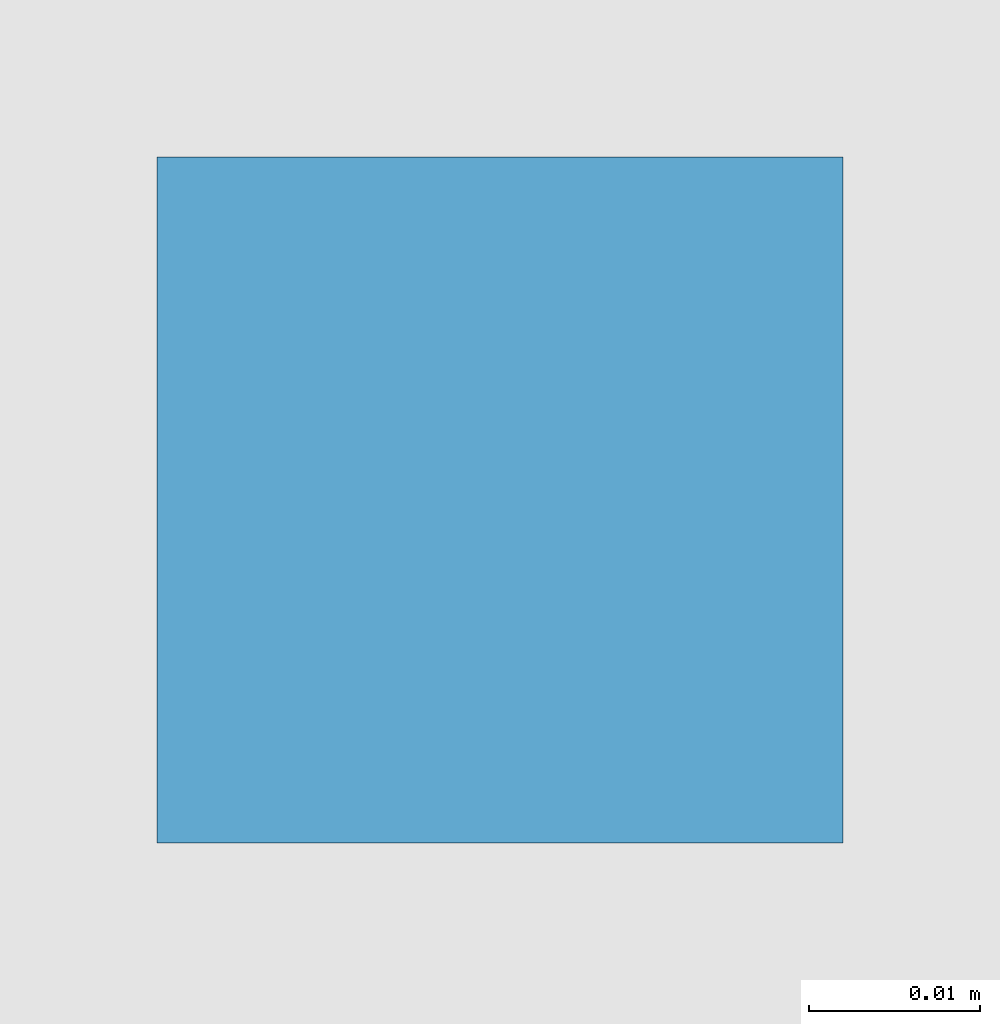
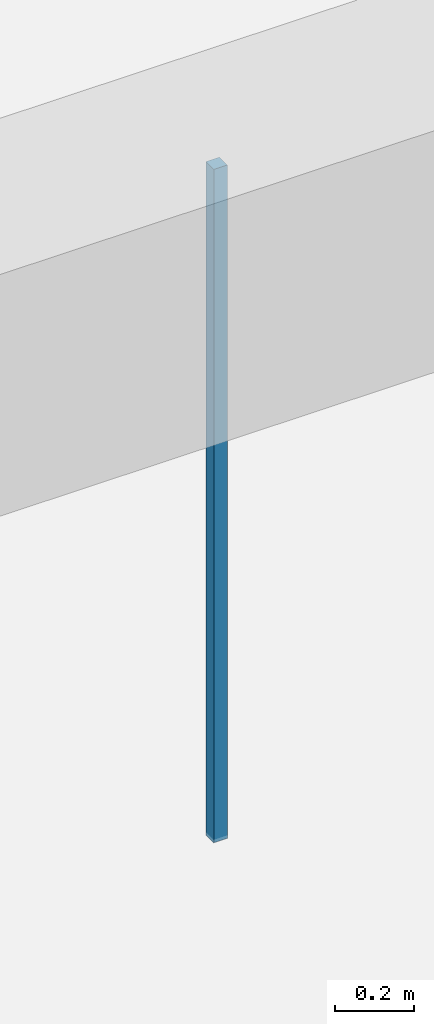
# One storey, part 110 of 167: 1 discrete accessory.
"""IFC4 building model written with IfcOpenShell, lengths in metres."""

from ifc_helpers import new_model, si_unit, direction, frame, origin, origin_2d, place, context, subcontext, project, spatial, rectangle, extrude, material, type_object, element, save


model = new_model("IFC4")

# Units and contexts
model_context = context("Model", 3, precision=1e-05, world=origin(), true_north=direction((0.0, 1.0)))
body_context = subcontext(model_context, "Body", "Model", "MODEL_VIEW")
ifc_project = project(units=[si_unit("LENGTHUNIT", "METRE"), si_unit("AREAUNIT", "SQUARE_METRE"), si_unit("VOLUMEUNIT", "CUBIC_METRE"), si_unit("PLANEANGLEUNIT", "RADIAN"), si_unit("MASSUNIT", "GRAM", prefix="KILO")], contexts=[model_context])

# Site, building, storey
site_placement = place(None, origin())
site = spatial("IfcSite", under=ifc_project, at=site_placement, CompositionType="ELEMENT")
building_placement = place(site_placement, origin())
building = spatial("IfcBuilding", under=site, at=building_placement, Name="Varncliffe General Hospital", CompositionType="ELEMENT")
storey_placement = place(building_placement, origin())
storey = spatial("IfcBuildingStorey", under=building, at=storey_placement, Name="L00", CompositionType="ELEMENT", Elevation=0.0)

# Discrete accessory
ifc_material = material(Name="Powder-coated hospital steel guardrail and handrail", Category="steel")
discrete_accessory_type = type_object("IfcDiscreteAccessoryType", Name="Suspended Ceiling Hanger Bracket CH01", PredefinedType="BRACKET", material=ifc_material)
discrete_accessory_placement = place(storey_placement, frame((105.657470703125, 66.0, 3.18994140625), z_axis=(0.0, 0.0, 1.0), x_axis=(1.0, 0.0, 0.0)))
element("IfcDiscreteAccessory", 1, at=discrete_accessory_placement, inside=storey, type_object=discrete_accessory_type, Name="L00 Suspended Ceiling Hanger 20", PredefinedType="BRACKET", context=body_context, shape_type="SweptSolid", body=[
    extrude(rectangle(XDim=0.0400390625, YDim=0.0400390625, at=origin_2d()), origin(), (0.0, 0.0, 1.0), 2.090087890625),
])

save(model, "model.ifc")
